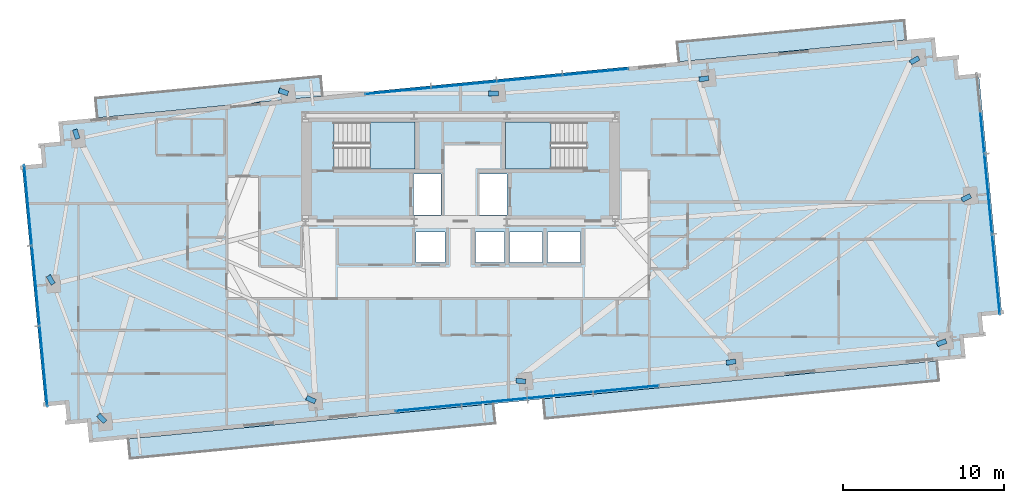
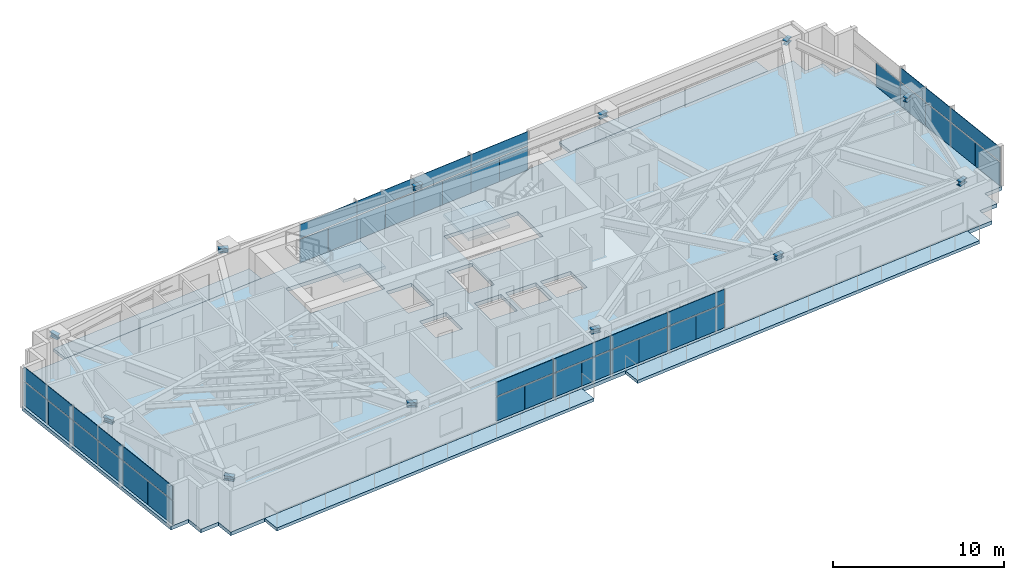
# One storey, part 20 of 27: 40 plates, 12 beams, 7 slabs, 6 elements without a shape of their own.
"""IFC4 building model written with IfcOpenShell, lengths in metres."""

from ifc_helpers import new_model, si_unit, direction, frame, origin, origin_2d, place, context, subcontext, project, spatial, polyline, rectangle, i_section, outline, extrude, source, transform, mapped, material, layer, layer_set, material_profile, profile_set, type_object, type_shapes, element, aggregate, save


model = new_model("IFC4")

# Units and contexts
model_context = context("Model", 3, precision=1e-05, world=origin(), true_north=direction((0.0, 1.0)))
body_context = subcontext(model_context, "Body", "Model", "MODEL_VIEW")
ifc_project = project(units=[si_unit("LENGTHUNIT", "METRE"), si_unit("AREAUNIT", "SQUARE_METRE"), si_unit("VOLUMEUNIT", "CUBIC_METRE"), si_unit("PLANEANGLEUNIT", "RADIAN"), si_unit("MASSUNIT", "GRAM", prefix="KILO")], contexts=[model_context])

# Site, building, storey
site_placement = place(None, origin())
site = spatial("IfcSite", under=ifc_project, at=site_placement, CompositionType="ELEMENT")
building_placement = place(site_placement, origin())
building = spatial("IfcBuilding", under=site, at=building_placement, Name="Astriad Promenade Condominiums", CompositionType="ELEMENT")
storey_placement = place(building_placement, frame((0.0, 0.0, 116.199951171875)))
storey = spatial("IfcBuildingStorey", under=building, at=storey_placement, Name="L33", CompositionType="ELEMENT", Elevation=116.199951171875)

# Beams
ifc_material_1 = material(Name="Steel ASTM A992 Grade 50", Category="steel")
ifc_material_profile = material_profile(ifc_material_1, i_section(OverallWidth=0.3046875, OverallDepth=0.307861328125, WebThickness=0.010009765625, FlangeThickness=0.015380859375, FilletRadius=0.01513671875, at=origin_2d()), Name="W12X65")
ifc_profile_set = profile_set([ifc_material_profile], Name="Steel ASTM A992 Grade 50")
beam_type = type_object("IfcBeamType", Name="STEEL TRANSFER SPLICE HEADER W12X65", PredefinedType="LINTEL", material=ifc_profile_set)
shared_shape_1 = source(origin(), body_context, "Body", "SweptSolid", [
    extrude(i_section(OverallWidth=0.3046875, OverallDepth=0.307861328125, WebThickness=0.010009765625, FlangeThickness=0.015380859375, FilletRadius=0.01513671875, at=origin_2d()), origin(), (0.0, 0.0, 1.0), 0.6015625),
])
for number, where, z_axis, x_axis, name in (
    (1, (27.005615234375, 6.264892578125, 2.74609375), (-0.906193507358, 0.422863248843, 0.0), (-0.422863248843, -0.906193507358, 0.0), "Column Transfer Splice Header SPL-PC02-L33"),
    (2, (40.04541015625, 7.5205078125, 2.74609375), (-0.9962573196, 0.08643698944, 0.0), (-0.08643698944, -0.9962573196, 0.0), "Column Transfer Splice Header SPL-PC03-L33"),
    (3, (53.0849609375, 8.776123046875, 2.74609375), (-0.985149126516, -0.171700898441, 0.0), (0.171700898441, -0.985149126516, 0.0), "Column Transfer Splice Header SPL-PC04-L33"),
    (4, (25.31494140625, 25.3798828125, 2.74609375), (-0.945678800643, 0.325102454642, 0.0), (-0.325102454642, -0.945678800643, 0.0), "Column Transfer Splice Header SPL-PC07-L33"),
    (5, (51.394287109375, 26.3349609375, 2.74609375), (-0.988409209034, -0.151813159827, 0.0), (0.151813159827, -0.988409209034, 0.0), "Column Transfer Splice Header SPL-PC09-L33"),
    (6, (64.43408203125, 27.590576171875, 2.74609375), (-0.866941378574, -0.498410118393, 0.0), (0.498410118393, -0.866941378574, 0.0), "Column Transfer Splice Header SPL-PC10-L33"),
    (7, (67.6484375, 19.039306640625, 2.74609375), (-0.894589489496, -0.44688885115, 0.0), (0.44688885115, -0.894589489496, 0.0), "Column Transfer Splice Header SPL-PC12-L33"),
):
    element("IfcBeam", number, at=place(storey_placement, frame(where, z_axis=z_axis, x_axis=x_axis)), inside=storey, type_object=beam_type, Name=name, PredefinedType="LINTEL", context=body_context, shape_type="MappedRepresentation", body=[
        mapped(shared_shape_1, transform((0.0, 0.0, 0.0), scale=1.0)),
    ])
shared_shape_2 = source(origin(), body_context, "Body", "SweptSolid", [
    extrude(i_section(OverallWidth=0.3046875, OverallDepth=0.307861328125, WebThickness=0.010009765625, FlangeThickness=0.015380859375, FilletRadius=0.01513671875, at=origin_2d()), origin(), (0.0, 0.0, 1.0), 0.601806640625),
])
beam_placement = place(storey_placement, frame((12.275390625, 22.568115234375, 2.74609375), z_axis=(-0.327040881978, 0.945010191223, 0.0), x_axis=(-0.945010191223, -0.327040881978, 0.0)))
element("IfcBeam", 8, at=beam_placement, inside=storey, type_object=beam_type, Name="Column Transfer Splice Header SPL-PC06-L33", PredefinedType="LINTEL", context=body_context, shape_type="MappedRepresentation", body=[
    mapped(shared_shape_2, transform((0.0, 0.0, 0.0), scale=1.0)),
])
shared_shape_3 = source(origin(), body_context, "Body", "SweptSolid", [
    extrude(i_section(OverallWidth=0.3046875, OverallDepth=0.307861328125, WebThickness=0.010009765625, FlangeThickness=0.015380859375, FilletRadius=0.01513671875, at=origin_2d()), origin(), (0.0, 0.0, 1.0), 0.601318359375),
])
type_shapes(beam_type, [shared_shape_1, shared_shape_2, shared_shape_3])
for number, where, z_axis, x_axis, name in (
    (9, (13.966064453125, 5.009521484375, 2.74609375), (-0.683589973113, 0.729866253953, 0.0), (-0.729866253953, -0.683589973113, 0.0), "Column Transfer Splice Header SPL-PC01-L33"),
    (10, (66.124755859375, 10.03173828125, 2.74609375), (-0.939461075949, -0.342655638764, 0.0), (0.342655638764, -0.939461075949, 0.0), "Column Transfer Splice Header SPL-PC05-L33"),
    (11, (38.3544921875, 25.3798828125, 2.74609375), (-1.0, 0.0, 0.0), (0.0, -1.0, 0.0), "Column Transfer Splice Header SPL-PC08-L33"),
    (12, (10.751708984375, 13.560791015625, 2.74609375), (-0.514734524922, 0.857349618798, 0.0), (-0.857349618798, -0.514734524922, 0.0), "Column Transfer Splice Header SPL-PC11-L33"),
):
    element("IfcBeam", number, at=place(storey_placement, frame(where, z_axis=z_axis, x_axis=x_axis)), inside=storey, type_object=beam_type, Name=name, PredefinedType="LINTEL", context=body_context, shape_type="MappedRepresentation", body=[
        mapped(shared_shape_3, transform((0.0, 0.0, 0.0), scale=1.0)),
    ])

# Slab
ifc_material_2 = material(Name="Concrete C50/60", Category="concrete")
ifc_layer_1 = layer(ifc_material_2, 0.260009765625)
ifc_layer_set_1 = layer_set([ifc_layer_1], Name="Concrete C50/60")
slab_type_1 = type_object("IfcSlabType", Name="CONCRETE TOWER FLOOR SLAB 260", PredefinedType="FLOOR", material=ifc_layer_set_1)
slab_1_placement = place(storey_placement, frame((0.0, 0.0, -0.260009765625)))
element("IfcSlab", 13, at=slab_1_placement, inside=storey, type_object=slab_type_1, Name="Structural Floor Slab (L33)", PredefinedType="FLOOR", context=body_context, shape_type="SweptSolid", body=[
    extrude(outline(polyline([(12.984130859375, 3.7294921875), (67.332763671875, 8.962646484375), (67.212890625, 10.206787109375), (68.457275390625, 10.32666015625), (68.33740234375, 11.57080078125), (69.58154296875, 11.690673828125), (68.14404296875, 26.62158203125), (66.899658203125, 26.501953125), (66.77978515625, 27.74609375), (65.53564453125, 27.626220703125), (65.416015625, 28.87060546875), (11.067138671875, 23.637451171875), (11.18701171875, 22.39306640625), (9.94287109375, 22.273193359375), (10.0625, 21.029052734375), (8.818359375, 20.9091796875), (10.256103515625, 5.978271484375), (11.500244140625, 6.09814453125), (11.6201171875, 4.85400390625), (12.8642578125, 4.9736328125), (12.984130859375, 3.7294921875)]), holes=[polyline([(28.175048828125, 20.699951171875), (33.175048828125, 20.699951171875), (33.175048828125, 23.60009765625), (28.175048828125, 23.60009765625), (28.175048828125, 20.699951171875)]), polyline([(38.824951171875, 20.699951171875), (43.824951171875, 20.699951171875), (43.824951171875, 23.60009765625), (38.824951171875, 23.60009765625), (38.824951171875, 20.699951171875)]), polyline([(33.10009765625, 17.85009765625), (34.800048828125, 17.85009765625), (34.800048828125, 20.39990234375), (33.10009765625, 20.39990234375), (33.10009765625, 17.85009765625)]), polyline([(37.199951171875, 17.85009765625), (38.89990234375, 17.85009765625), (38.89990234375, 20.39990234375), (37.199951171875, 20.39990234375), (37.199951171875, 17.85009765625)]), polyline([(33.25, 14.89990234375), (35.050048828125, 14.89990234375), (35.050048828125, 16.800048828125), (33.25, 16.800048828125), (33.25, 14.89990234375)]), polyline([(36.949951171875, 14.89990234375), (38.75, 14.89990234375), (38.75, 16.800048828125), (36.949951171875, 16.800048828125), (36.949951171875, 14.89990234375)]), polyline([(39.050048828125, 14.89990234375), (41.10009765625, 14.89990234375), (41.10009765625, 16.800048828125), (39.050048828125, 16.800048828125), (39.050048828125, 14.89990234375)]), polyline([(41.39990234375, 14.89990234375), (43.449951171875, 14.89990234375), (43.449951171875, 16.800048828125), (41.39990234375, 16.800048828125), (41.39990234375, 14.89990234375)])]), origin(), (0.0, 0.0, 1.0), 0.260009765625),
])

# Stair, slab
stair_type = type_object("IfcStairType", Name="STR-CORE-1350", PredefinedType="HALF_TURN_STAIR", material=ifc_material_2)
stair_1_placement = place(storey_placement, origin())
stair_1 = element("IfcStair", 14, at=stair_1_placement, inside=storey, type_object=stair_type, Name="L33 Enclosed Core Exit Stair ST-1", PredefinedType="HALF_TURN_STAIR")
ifc_layer_2 = layer(ifc_material_2, 0.219970703125)
ifc_layer_set_2 = layer_set([ifc_layer_2], Name="Concrete C50/60")
slab_type_2 = type_object("IfcSlabType", Name="SLB-LANDING-220", PredefinedType="LANDING", material=ifc_layer_set_2)
slab_2_placement = place(storey_placement, frame((0.0, 0.0, 1.400146484375)))
slab_2 = element("IfcSlab", 15, at=slab_2_placement, type_object=slab_type_2, Name="ST-1 landing 1", PredefinedType="LANDING", context=body_context, shape_type="SweptSolid", body=[
    extrude(outline(polyline([(30.389892578125, 20.699951171875), (33.199951171875, 20.699951171875), (33.199951171875, 23.60009765625), (30.389892578125, 23.60009765625), (30.389892578125, 20.699951171875)])), origin(), (0.0, 0.0, 1.0), 0.199951171875),
])
aggregate(stair_1, [slab_2])

stair_2_placement = place(storey_placement, origin())
stair_2 = element("IfcStair", 16, at=stair_2_placement, inside=storey, type_object=stair_type, Name="L33 Enclosed Core Exit Stair ST-2", PredefinedType="HALF_TURN_STAIR")
slab_3_placement = place(storey_placement, frame((0.0, 0.0, 1.400146484375)))
slab_3 = element("IfcSlab", 17, at=slab_3_placement, type_object=slab_type_2, Name="ST-2 landing 1", PredefinedType="LANDING", context=body_context, shape_type="SweptSolid", body=[
    extrude(outline(polyline([(41.610107421875, 23.60009765625), (38.800048828125, 23.60009765625), (38.800048828125, 20.699951171875), (41.610107421875, 20.699951171875), (41.610107421875, 23.60009765625)])), origin(), (0.0, 0.0, 1.0), 0.199951171875),
])
aggregate(stair_2, [slab_3])

# Slabs
ifc_material_3 = material(Name="Precast concrete C50/60", Category="concrete")
ifc_layer_3 = layer(ifc_material_3, 0.219970703125)
ifc_layer_set_3 = layer_set([ifc_layer_3], Name="Precast concrete C50/60")
slab_type_3 = type_object("IfcSlabType", Name="WHITE PRECAST CONCRETE WAVE BALCONY SLAB 220", PredefinedType="FLOOR", material=ifc_layer_set_3)
slab_4_placement = place(storey_placement, frame((0.0, 0.0, -0.219970703125)))
element("IfcSlab", 18, at=slab_4_placement, inside=storey, type_object=slab_type_3, Name="White Precast Wave Balcony Slab BAL-L33-SW", PredefinedType="FLOOR", context=body_context, shape_type="SweptSolid", body=[
    extrude(outline(polyline([(38.1572265625, 4.927734375), (15.52392578125, 2.748291015625), (15.406982421875, 3.960693359375), (38.04052734375, 6.14013671875), (38.1572265625, 4.927734375)])), origin(), (0.0, 0.0, 1.0), 0.219970703125),
])
slab_5_placement = place(storey_placement, frame((0.0, 0.0, -0.219970703125)))
element("IfcSlab", 19, at=slab_5_placement, inside=storey, type_object=slab_type_3, Name="White Precast Wave Balcony Slab BAL-L33-SE", PredefinedType="FLOOR", context=body_context, shape_type="SweptSolid", body=[
    extrude(outline(polyline([(65.671875, 7.5771484375), (41.264892578125, 5.226806640625), (41.148193359375, 6.439208984375), (65.55517578125, 8.789306640625), (65.671875, 7.5771484375)])), origin(), (0.0, 0.0, 1.0), 0.219970703125),
])
slab_6_placement = place(storey_placement, frame((0.0, 0.0, -0.219970703125)))
element("IfcSlab", 20, at=slab_6_placement, inside=storey, type_object=slab_type_3, Name="White Precast Wave Balcony Slab BAL-L33-NW", PredefinedType="FLOOR", context=body_context, shape_type="SweptSolid", body=[
    extrude(outline(polyline([(13.373046875, 25.0849609375), (27.33447265625, 26.429443359375), (27.451171875, 25.217041015625), (13.48974609375, 23.872802734375), (13.373046875, 25.0849609375)])), origin(), (0.0, 0.0, 1.0), 0.219970703125),
])
slab_7_placement = place(storey_placement, frame((0.0, 0.0, -0.219970703125)))
element("IfcSlab", 21, at=slab_7_placement, inside=storey, type_object=slab_type_3, Name="White Precast Wave Balcony Slab BAL-L33-NE", PredefinedType="FLOOR", context=body_context, shape_type="SweptSolid", body=[
    extrude(outline(polyline([(49.4423828125, 28.55810546875), (63.52099609375, 29.913818359375), (63.637939453125, 28.701416015625), (49.55908203125, 27.345703125), (49.4423828125, 28.55810546875)])), origin(), (0.0, 0.0, 1.0), 0.219970703125),
])

# Curtain wall, plates
ifc_material_4 = material(Name="Anodised aluminium Black Dark Glass Unitised", Category="aluminium")
curtain_wall_type = type_object("IfcCurtainWallType", Name="CW-B2-DARK", PredefinedType="USERDEFINED", material=ifc_material_4)
curtain_wall_1_placement = place(storey_placement, origin())
curtain_wall_1 = element("IfcCurtainWall", 22, at=curtain_wall_1_placement, inside=storey, type_object=curtain_wall_type, Name="CW-L33-W", ObjectType="UNITISED_CURTAIN_WALL", PredefinedType="USERDEFINED")
ifc_material_5 = material(Name="Dark Tinted Low-E Laminated Glass", Category="glass")
ifc_layer_4 = layer(ifc_material_5, 0.035888671875)
ifc_layer_set_4 = layer_set([ifc_layer_4], Name="Dark Tinted Low-E Laminated Glass")
plate_type = type_object("IfcPlateType", Name="PNL-DARK-GLASS-36", PredefinedType="CURTAIN_PANEL", material=ifc_layer_set_4)
shared_shape_4 = source(origin(), body_context, "Body", "SweptSolid", [
    extrude(rectangle(XDim=2.488037109375, YDim=0.035888671875, at=origin_2d()), origin(), (0.0, 0.0, 1.0), 1.677978515625),
])
plate_1_placement = place(storey_placement, frame((10.265625, 7.235107421875, 0.080078125), z_axis=(0.0, 0.0, 1.0), x_axis=(-0.09584575252, 0.995396198367, 0.0)))
plate_1 = element("IfcPlate", 23, at=plate_1_placement, type_object=plate_type, Name="CW-L33-W-PNL-00-VL", PredefinedType="CURTAIN_PANEL", context=body_context, shape_type="MappedRepresentation", body=[
    mapped(shared_shape_4, transform((0.0, 0.0, 0.0), scale=1.0)),
])
plate_2_placement = place(storey_placement, frame((10.02587890625, 9.723388671875, 0.080078125), z_axis=(0.0, 0.0, 1.0), x_axis=(-0.09584575252, 0.995396198367, 0.0)))
plate_2 = element("IfcPlate", 24, at=plate_2_placement, type_object=plate_type, Name="CW-L33-W-PNL-00-VR", PredefinedType="CURTAIN_PANEL", context=body_context, shape_type="MappedRepresentation", body=[
    mapped(shared_shape_4, transform((0.0, 0.0, 0.0), scale=1.0)),
])
plate_3_placement = place(storey_placement, frame((9.786376953125, 12.212158203125, 0.080078125), z_axis=(0.0, 0.0, 1.0), x_axis=(-0.09584575252, 0.995396198367, 0.0)))
plate_3 = element("IfcPlate", 25, at=plate_3_placement, type_object=plate_type, Name="CW-L33-W-PNL-01-VL", PredefinedType="CURTAIN_PANEL", context=body_context, shape_type="MappedRepresentation", body=[
    mapped(shared_shape_4, transform((0.0, 0.0, 0.0), scale=1.0)),
])
plate_4_placement = place(storey_placement, frame((9.546875, 14.700439453125, 0.080078125), z_axis=(0.0, 0.0, 1.0), x_axis=(-0.09584575252, 0.995396198367, 0.0)))
plate_4 = element("IfcPlate", 26, at=plate_4_placement, type_object=plate_type, Name="CW-L33-W-PNL-01-VR", PredefinedType="CURTAIN_PANEL", context=body_context, shape_type="MappedRepresentation", body=[
    mapped(shared_shape_4, transform((0.0, 0.0, 0.0), scale=1.0)),
])
plate_5_placement = place(storey_placement, frame((9.30712890625, 17.189208984375, 0.080078125), z_axis=(0.0, 0.0, 1.0), x_axis=(-0.09584575252, 0.995396198367, 0.0)))
plate_5 = element("IfcPlate", 27, at=plate_5_placement, type_object=plate_type, Name="CW-L33-W-PNL-02-VL", PredefinedType="CURTAIN_PANEL", context=body_context, shape_type="MappedRepresentation", body=[
    mapped(shared_shape_4, transform((0.0, 0.0, 0.0), scale=1.0)),
])
plate_6_placement = place(storey_placement, frame((9.067626953125, 19.677490234375, 0.080078125), z_axis=(0.0, 0.0, 1.0), x_axis=(-0.09584575252, 0.995396198367, 0.0)))
plate_6 = element("IfcPlate", 28, at=plate_6_placement, type_object=plate_type, Name="CW-L33-W-PNL-02-VR", PredefinedType="CURTAIN_PANEL", context=body_context, shape_type="MappedRepresentation", body=[
    mapped(shared_shape_4, transform((0.0, 0.0, 0.0), scale=1.0)),
])

curtain_wall_2_placement = place(storey_placement, origin())
curtain_wall_2 = element("IfcCurtainWall", 29, at=curtain_wall_2_placement, inside=storey, type_object=curtain_wall_type, Name="CW-L33-E", ObjectType="UNITISED_CURTAIN_WALL", PredefinedType="USERDEFINED")
plate_7_placement = place(storey_placement, frame((68.3740234375, 22.87646484375, 0.080078125), z_axis=(0.0, 0.0, 1.0), x_axis=(0.09584575252, -0.995396198367, 0.0)))
plate_7 = element("IfcPlate", 30, at=plate_7_placement, type_object=plate_type, Name="CW-L33-E-PNL-00-VR", PredefinedType="CURTAIN_PANEL", context=body_context, shape_type="MappedRepresentation", body=[
    mapped(shared_shape_4, transform((0.0, 0.0, 0.0), scale=1.0)),
])
plate_8_placement = place(storey_placement, frame((68.613525390625, 20.387939453125, 0.080078125), z_axis=(0.0, 0.0, 1.0), x_axis=(0.09584575252, -0.995396198367, 0.0)))
plate_8 = element("IfcPlate", 31, at=plate_8_placement, type_object=plate_type, Name="CW-L33-E-PNL-01-VL", PredefinedType="CURTAIN_PANEL", context=body_context, shape_type="MappedRepresentation", body=[
    mapped(shared_shape_4, transform((0.0, 0.0, 0.0), scale=1.0)),
])
plate_9_placement = place(storey_placement, frame((68.853271484375, 17.8994140625, 0.080078125), z_axis=(0.0, 0.0, 1.0), x_axis=(0.09584575252, -0.995396198367, 0.0)))
plate_9 = element("IfcPlate", 32, at=plate_9_placement, type_object=plate_type, Name="CW-L33-E-PNL-01-VR", PredefinedType="CURTAIN_PANEL", context=body_context, shape_type="MappedRepresentation", body=[
    mapped(shared_shape_4, transform((0.0, 0.0, 0.0), scale=1.0)),
])
plate_10_placement = place(storey_placement, frame((69.0927734375, 15.410888671875, 0.080078125), z_axis=(0.0, 0.0, 1.0), x_axis=(0.09584575252, -0.995396198367, 0.0)))
plate_10 = element("IfcPlate", 33, at=plate_10_placement, type_object=plate_type, Name="CW-L33-E-PNL-02-VL", PredefinedType="CURTAIN_PANEL", context=body_context, shape_type="MappedRepresentation", body=[
    mapped(shared_shape_4, transform((0.0, 0.0, 0.0), scale=1.0)),
])
plate_11_placement = place(storey_placement, frame((69.33251953125, 12.922607421875, 0.080078125), z_axis=(0.0, 0.0, 1.0), x_axis=(0.09584575252, -0.995396198367, 0.0)))
plate_11 = element("IfcPlate", 34, at=plate_11_placement, type_object=plate_type, Name="CW-L33-E-PNL-02-VR", PredefinedType="CURTAIN_PANEL", context=body_context, shape_type="MappedRepresentation", body=[
    mapped(shared_shape_4, transform((0.0, 0.0, 0.0), scale=1.0)),
])

# Plate
shared_shape_5 = source(origin(), body_context, "Body", "SweptSolid", [
    extrude(rectangle(XDim=4.988037109375, YDim=0.035888671875, at=origin_2d()), origin(), (0.0, 0.0, 1.0), 0.98193359375),
])
plate_12_placement = place(storey_placement, frame((10.145751953125, 8.479248046875, 1.838134765625), z_axis=(0.0, 0.0, 1.0), x_axis=(-0.09584575252, 0.995396198367, 0.0)))
plate_12 = element("IfcPlate", 35, at=plate_12_placement, type_object=plate_type, Name="CW-L33-W-PNL-00-S", PredefinedType="CURTAIN_PANEL", context=body_context, shape_type="MappedRepresentation", body=[
    mapped(shared_shape_5, transform((0.0, 0.0, 0.0), scale=1.0)),
])

plate_13_placement = place(storey_placement, frame((9.66650390625, 13.456298828125, 1.838134765625), z_axis=(0.0, 0.0, 1.0), x_axis=(-0.09584575252, 0.995396198367, 0.0)))
plate_13 = element("IfcPlate", 36, at=plate_13_placement, type_object=plate_type, Name="CW-L33-W-PNL-01-S", PredefinedType="CURTAIN_PANEL", context=body_context, shape_type="MappedRepresentation", body=[
    mapped(shared_shape_5, transform((0.0, 0.0, 0.0), scale=1.0)),
])

plate_14_placement = place(storey_placement, frame((9.1875, 18.433349609375, 1.838134765625), z_axis=(0.0, 0.0, 1.0), x_axis=(-0.09584575252, 0.995396198367, 0.0)))
plate_14 = element("IfcPlate", 37, at=plate_14_placement, type_object=plate_type, Name="CW-L33-W-PNL-02-S", PredefinedType="CURTAIN_PANEL", context=body_context, shape_type="MappedRepresentation", body=[
    mapped(shared_shape_5, transform((0.0, 0.0, 0.0), scale=1.0)),
])

aggregate(curtain_wall_1, [plate_1, plate_2, plate_12, plate_3, plate_4, plate_13, plate_5, plate_6, plate_14])

plate_15_placement = place(storey_placement, frame((68.7333984375, 19.143798828125, 1.838134765625), z_axis=(0.0, 0.0, 1.0), x_axis=(0.09584575252, -0.995396198367, 0.0)))
plate_15 = element("IfcPlate", 38, at=plate_15_placement, type_object=plate_type, Name="CW-L33-E-PNL-01-S", PredefinedType="CURTAIN_PANEL", context=body_context, shape_type="MappedRepresentation", body=[
    mapped(shared_shape_5, transform((0.0, 0.0, 0.0), scale=1.0)),
])

plate_16_placement = place(storey_placement, frame((69.212646484375, 14.166748046875, 1.838134765625), z_axis=(0.0, 0.0, 1.0), x_axis=(0.09584575252, -0.995396198367, 0.0)))
plate_16 = element("IfcPlate", 39, at=plate_16_placement, type_object=plate_type, Name="CW-L33-E-PNL-02-S", PredefinedType="CURTAIN_PANEL", context=body_context, shape_type="MappedRepresentation", body=[
    mapped(shared_shape_5, transform((0.0, 0.0, 0.0), scale=1.0)),
])

aggregate(curtain_wall_2, [plate_7, plate_8, plate_9, plate_15, plate_10, plate_11, plate_16])

# Curtain wall, plates
curtain_wall_3_placement = place(storey_placement, origin())
curtain_wall_3 = element("IfcCurtainWall", 40, at=curtain_wall_3_placement, inside=storey, type_object=curtain_wall_type, Name="CW-L33-N", ObjectType="UNITISED_CURTAIN_WALL", PredefinedType="USERDEFINED")
shared_shape_6 = source(origin(), body_context, "Body", "SweptSolid", [
    extrude(rectangle(XDim=2.035400390625, YDim=0.035888671875, at=origin_2d()), origin(), (0.0, 0.0, 1.0), 1.677978515625),
])
plate_17_placement = place(storey_placement, frame((31.12060546875, 25.437744140625, 0.080078125), z_axis=(0.0, 0.0, 1.0), x_axis=(0.995396198367, 0.09584575252, 0.0)))
plate_17 = element("IfcPlate", 41, at=plate_17_placement, type_object=plate_type, Name="CW-L33-N-PNL-00-VL", PredefinedType="CURTAIN_PANEL", context=body_context, shape_type="MappedRepresentation", body=[
    mapped(shared_shape_6, transform((0.0, 0.0, 0.0), scale=1.0)),
])
plate_18_placement = place(storey_placement, frame((33.15869140625, 25.634033203125, 0.080078125), z_axis=(0.0, 0.0, 1.0), x_axis=(0.995396198367, 0.09584575252, 0.0)))
plate_18 = element("IfcPlate", 42, at=plate_18_placement, type_object=plate_type, Name="CW-L33-N-PNL-00-VR", PredefinedType="CURTAIN_PANEL", context=body_context, shape_type="MappedRepresentation", body=[
    mapped(shared_shape_6, transform((0.0, 0.0, 0.0), scale=1.0)),
])
plate_19_placement = place(storey_placement, frame((35.19677734375, 25.830078125, 0.080078125), z_axis=(0.0, 0.0, 1.0), x_axis=(0.995396198367, 0.09584575252, 0.0)))
plate_19 = element("IfcPlate", 43, at=plate_19_placement, type_object=plate_type, Name="CW-L33-N-PNL-01-VL", PredefinedType="CURTAIN_PANEL", context=body_context, shape_type="MappedRepresentation", body=[
    mapped(shared_shape_6, transform((0.0, 0.0, 0.0), scale=1.0)),
])
plate_20_placement = place(storey_placement, frame((37.23486328125, 26.026611328125, 0.080078125), z_axis=(0.0, 0.0, 1.0), x_axis=(0.995396198367, 0.09584575252, 0.0)))
plate_20 = element("IfcPlate", 44, at=plate_20_placement, type_object=plate_type, Name="CW-L33-N-PNL-01-VR", PredefinedType="CURTAIN_PANEL", context=body_context, shape_type="MappedRepresentation", body=[
    mapped(shared_shape_6, transform((0.0, 0.0, 0.0), scale=1.0)),
])
plate_21_placement = place(storey_placement, frame((39.27294921875, 26.22265625, 0.080078125), z_axis=(0.0, 0.0, 1.0), x_axis=(0.995396198367, 0.09584575252, 0.0)))
plate_21 = element("IfcPlate", 45, at=plate_21_placement, type_object=plate_type, Name="CW-L33-N-PNL-02-VL", PredefinedType="CURTAIN_PANEL", context=body_context, shape_type="MappedRepresentation", body=[
    mapped(shared_shape_6, transform((0.0, 0.0, 0.0), scale=1.0)),
])
plate_22_placement = place(storey_placement, frame((41.31103515625, 26.4189453125, 0.080078125), z_axis=(0.0, 0.0, 1.0), x_axis=(0.995396198367, 0.09584575252, 0.0)))
plate_22 = element("IfcPlate", 46, at=plate_22_placement, type_object=plate_type, Name="CW-L33-N-PNL-02-VR", PredefinedType="CURTAIN_PANEL", context=body_context, shape_type="MappedRepresentation", body=[
    mapped(shared_shape_6, transform((0.0, 0.0, 0.0), scale=1.0)),
])
plate_23_placement = place(storey_placement, frame((43.34912109375, 26.615234375, 0.080078125), z_axis=(0.0, 0.0, 1.0), x_axis=(0.995396198367, 0.09584575252, 0.0)))
plate_23 = element("IfcPlate", 47, at=plate_23_placement, type_object=plate_type, Name="CW-L33-N-PNL-03-VL", PredefinedType="CURTAIN_PANEL", context=body_context, shape_type="MappedRepresentation", body=[
    mapped(shared_shape_6, transform((0.0, 0.0, 0.0), scale=1.0)),
])
plate_24_placement = place(storey_placement, frame((45.38720703125, 26.8115234375, 0.080078125), z_axis=(0.0, 0.0, 1.0), x_axis=(0.995396198367, 0.09584575252, 0.0)))
plate_24 = element("IfcPlate", 48, at=plate_24_placement, type_object=plate_type, Name="CW-L33-N-PNL-03-VR", PredefinedType="CURTAIN_PANEL", context=body_context, shape_type="MappedRepresentation", body=[
    mapped(shared_shape_6, transform((0.0, 0.0, 0.0), scale=1.0)),
])

curtain_wall_4_placement = place(storey_placement, origin())
curtain_wall_4 = element("IfcCurtainWall", 49, at=curtain_wall_4_placement, inside=storey, type_object=curtain_wall_type, Name="CW-L33-S", ObjectType="UNITISED_CURTAIN_WALL", PredefinedType="USERDEFINED")
plate_25_placement = place(storey_placement, frame((47.279296875, 7.162353515625, 0.080078125), z_axis=(0.0, 0.0, 1.0), x_axis=(-0.995396198367, -0.09584575252, 0.0)))
plate_25 = element("IfcPlate", 50, at=plate_25_placement, type_object=plate_type, Name="CW-L33-S-PNL-00-VL", PredefinedType="CURTAIN_PANEL", context=body_context, shape_type="MappedRepresentation", body=[
    mapped(shared_shape_6, transform((0.0, 0.0, 0.0), scale=1.0)),
])
plate_26_placement = place(storey_placement, frame((45.2412109375, 6.966064453125, 0.080078125), z_axis=(0.0, 0.0, 1.0), x_axis=(-0.995396198367, -0.09584575252, 0.0)))
plate_26 = element("IfcPlate", 51, at=plate_26_placement, type_object=plate_type, Name="CW-L33-S-PNL-00-VR", PredefinedType="CURTAIN_PANEL", context=body_context, shape_type="MappedRepresentation", body=[
    mapped(shared_shape_6, transform((0.0, 0.0, 0.0), scale=1.0)),
])
plate_27_placement = place(storey_placement, frame((43.203125, 6.769775390625, 0.080078125), z_axis=(0.0, 0.0, 1.0), x_axis=(-0.995396198367, -0.09584575252, 0.0)))
plate_27 = element("IfcPlate", 52, at=plate_27_placement, type_object=plate_type, Name="CW-L33-S-PNL-01-VL", PredefinedType="CURTAIN_PANEL", context=body_context, shape_type="MappedRepresentation", body=[
    mapped(shared_shape_6, transform((0.0, 0.0, 0.0), scale=1.0)),
])
plate_28_placement = place(storey_placement, frame((41.1650390625, 6.573486328125, 0.080078125), z_axis=(0.0, 0.0, 1.0), x_axis=(-0.995396198367, -0.09584575252, 0.0)))
plate_28 = element("IfcPlate", 53, at=plate_28_placement, type_object=plate_type, Name="CW-L33-S-PNL-01-VR", PredefinedType="CURTAIN_PANEL", context=body_context, shape_type="MappedRepresentation", body=[
    mapped(shared_shape_6, transform((0.0, 0.0, 0.0), scale=1.0)),
])
plate_29_placement = place(storey_placement, frame((39.126953125, 6.377197265625, 0.080078125), z_axis=(0.0, 0.0, 1.0), x_axis=(-0.995396198367, -0.09584575252, 0.0)))
plate_29 = element("IfcPlate", 54, at=plate_29_placement, type_object=plate_type, Name="CW-L33-S-PNL-02-VL", PredefinedType="CURTAIN_PANEL", context=body_context, shape_type="MappedRepresentation", body=[
    mapped(shared_shape_6, transform((0.0, 0.0, 0.0), scale=1.0)),
])
plate_30_placement = place(storey_placement, frame((37.0888671875, 6.180908203125, 0.080078125), z_axis=(0.0, 0.0, 1.0), x_axis=(-0.995396198367, -0.09584575252, 0.0)))
plate_30 = element("IfcPlate", 55, at=plate_30_placement, type_object=plate_type, Name="CW-L33-S-PNL-02-VR", PredefinedType="CURTAIN_PANEL", context=body_context, shape_type="MappedRepresentation", body=[
    mapped(shared_shape_6, transform((0.0, 0.0, 0.0), scale=1.0)),
])
plate_31_placement = place(storey_placement, frame((35.05078125, 5.98486328125, 0.080078125), z_axis=(0.0, 0.0, 1.0), x_axis=(-0.995396198367, -0.09584575252, 0.0)))
plate_31 = element("IfcPlate", 56, at=plate_31_placement, type_object=plate_type, Name="CW-L33-S-PNL-03-VL", PredefinedType="CURTAIN_PANEL", context=body_context, shape_type="MappedRepresentation", body=[
    mapped(shared_shape_6, transform((0.0, 0.0, 0.0), scale=1.0)),
])
plate_32_placement = place(storey_placement, frame((33.0126953125, 5.78857421875, 0.080078125), z_axis=(0.0, 0.0, 1.0), x_axis=(-0.995396198367, -0.09584575252, 0.0)))
plate_32 = element("IfcPlate", 57, at=plate_32_placement, type_object=plate_type, Name="CW-L33-S-PNL-03-VR", PredefinedType="CURTAIN_PANEL", context=body_context, shape_type="MappedRepresentation", body=[
    mapped(shared_shape_6, transform((0.0, 0.0, 0.0), scale=1.0)),
])

# Plate
shared_shape_7 = source(origin(), body_context, "Body", "SweptSolid", [
    extrude(rectangle(XDim=4.0830078125, YDim=0.035888671875, at=origin_2d()), origin(), (0.0, 0.0, 1.0), 0.98193359375),
])
type_shapes(plate_type, [shared_shape_4, shared_shape_5, shared_shape_6, shared_shape_7])
plate_33_placement = place(storey_placement, frame((32.1396484375, 25.535888671875, 1.838134765625), z_axis=(0.0, 0.0, 1.0), x_axis=(0.995396198367, 0.09584575252, 0.0)))
plate_33 = element("IfcPlate", 58, at=plate_33_placement, type_object=plate_type, Name="CW-L33-N-PNL-00-S", PredefinedType="CURTAIN_PANEL", context=body_context, shape_type="MappedRepresentation", body=[
    mapped(shared_shape_7, transform((0.0, 0.0, 0.0), scale=1.0)),
])

plate_34_placement = place(storey_placement, frame((36.2158203125, 25.928466796875, 1.838134765625), z_axis=(0.0, 0.0, 1.0), x_axis=(0.995396198367, 0.09584575252, 0.0)))
plate_34 = element("IfcPlate", 59, at=plate_34_placement, type_object=plate_type, Name="CW-L33-N-PNL-01-S", PredefinedType="CURTAIN_PANEL", context=body_context, shape_type="MappedRepresentation", body=[
    mapped(shared_shape_7, transform((0.0, 0.0, 0.0), scale=1.0)),
])

plate_35_placement = place(storey_placement, frame((40.2919921875, 26.32080078125, 1.838134765625), z_axis=(0.0, 0.0, 1.0), x_axis=(0.995396198367, 0.09584575252, 0.0)))
plate_35 = element("IfcPlate", 60, at=plate_35_placement, type_object=plate_type, Name="CW-L33-N-PNL-02-S", PredefinedType="CURTAIN_PANEL", context=body_context, shape_type="MappedRepresentation", body=[
    mapped(shared_shape_7, transform((0.0, 0.0, 0.0), scale=1.0)),
])

plate_36_placement = place(storey_placement, frame((44.368408203125, 26.71337890625, 1.838134765625), z_axis=(0.0, 0.0, 1.0), x_axis=(0.995396198367, 0.09584575252, 0.0)))
plate_36 = element("IfcPlate", 61, at=plate_36_placement, type_object=plate_type, Name="CW-L33-N-PNL-03-S", PredefinedType="CURTAIN_PANEL", context=body_context, shape_type="MappedRepresentation", body=[
    mapped(shared_shape_7, transform((0.0, 0.0, 0.0), scale=1.0)),
])

aggregate(curtain_wall_3, [plate_17, plate_18, plate_33, plate_19, plate_20, plate_34, plate_21, plate_22, plate_35, plate_23, plate_24, plate_36])

plate_37_placement = place(storey_placement, frame((46.26025390625, 7.064208984375, 1.838134765625), z_axis=(0.0, 0.0, 1.0), x_axis=(-0.995396198367, -0.09584575252, 0.0)))
plate_37 = element("IfcPlate", 62, at=plate_37_placement, type_object=plate_type, Name="CW-L33-S-PNL-00-S", PredefinedType="CURTAIN_PANEL", context=body_context, shape_type="MappedRepresentation", body=[
    mapped(shared_shape_7, transform((0.0, 0.0, 0.0), scale=1.0)),
])

plate_38_placement = place(storey_placement, frame((42.18408203125, 6.671630859375, 1.838134765625), z_axis=(0.0, 0.0, 1.0), x_axis=(-0.995396198367, -0.09584575252, 0.0)))
plate_38 = element("IfcPlate", 63, at=plate_38_placement, type_object=plate_type, Name="CW-L33-S-PNL-01-S", PredefinedType="CURTAIN_PANEL", context=body_context, shape_type="MappedRepresentation", body=[
    mapped(shared_shape_7, transform((0.0, 0.0, 0.0), scale=1.0)),
])

plate_39_placement = place(storey_placement, frame((38.10791015625, 6.279052734375, 1.838134765625), z_axis=(0.0, 0.0, 1.0), x_axis=(-0.995396198367, -0.09584575252, 0.0)))
plate_39 = element("IfcPlate", 64, at=plate_39_placement, type_object=plate_type, Name="CW-L33-S-PNL-02-S", PredefinedType="CURTAIN_PANEL", context=body_context, shape_type="MappedRepresentation", body=[
    mapped(shared_shape_7, transform((0.0, 0.0, 0.0), scale=1.0)),
])

plate_40_placement = place(storey_placement, frame((34.03173828125, 5.88671875, 1.838134765625), z_axis=(0.0, 0.0, 1.0), x_axis=(-0.995396198367, -0.09584575252, 0.0)))
plate_40 = element("IfcPlate", 65, at=plate_40_placement, type_object=plate_type, Name="CW-L33-S-PNL-03-S", PredefinedType="CURTAIN_PANEL", context=body_context, shape_type="MappedRepresentation", body=[
    mapped(shared_shape_7, transform((0.0, 0.0, 0.0), scale=1.0)),
])

aggregate(curtain_wall_4, [plate_25, plate_26, plate_37, plate_27, plate_28, plate_38, plate_29, plate_30, plate_39, plate_31, plate_32, plate_40])

save(model, "model.ifc")
